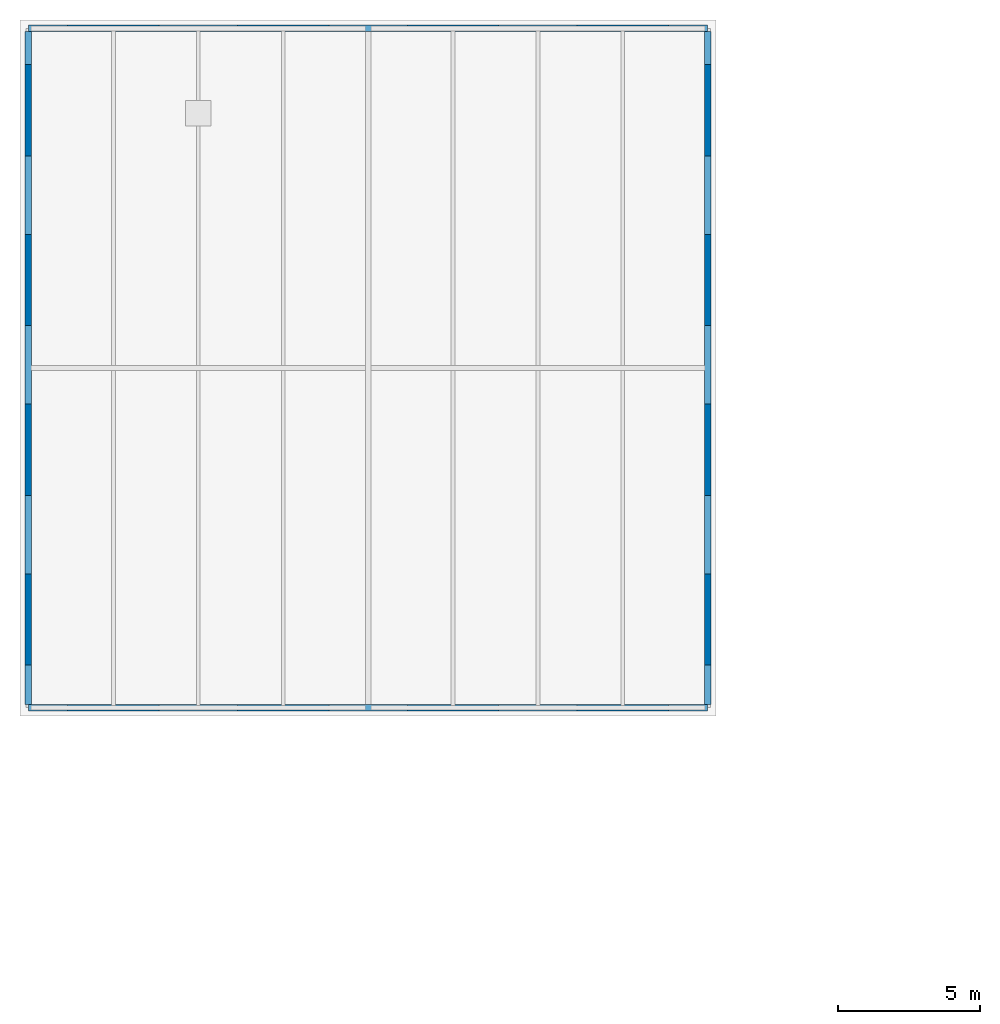
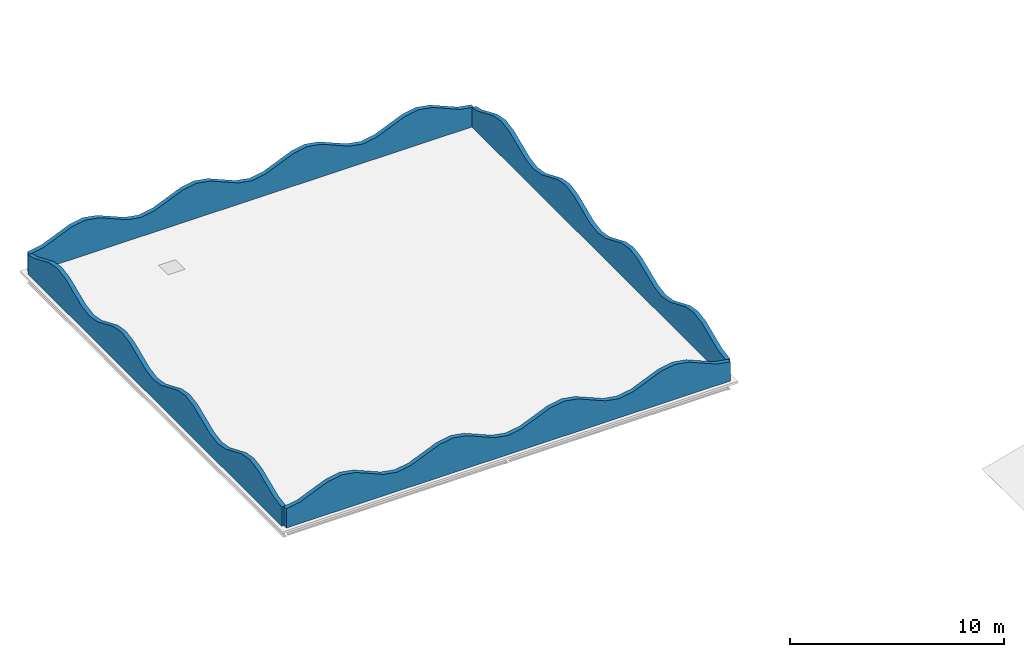
# One storey, part 62 of 91: 4 walls.
"""IFC4 building model written with IfcOpenShell, lengths in metres."""

from ifc_helpers import new_model, si_unit, direction, frame, origin, place, context, subcontext, project, spatial, polyline, outline, extrude, material, layer, layer_set, type_object, element, save


model = new_model("IFC4")

# Units and contexts
model_context = context("Model", 3, precision=1e-05, world=origin(), true_north=direction((0.0, 1.0)))
body_context = subcontext(model_context, "Body", "Model", "MODEL_VIEW")
ifc_project = project(units=[si_unit("LENGTHUNIT", "METRE"), si_unit("AREAUNIT", "SQUARE_METRE"), si_unit("VOLUMEUNIT", "CUBIC_METRE"), si_unit("PLANEANGLEUNIT", "RADIAN"), si_unit("MASSUNIT", "GRAM", prefix="KILO")], contexts=[model_context])

# Site, building, storey
site_placement = place(None, origin())
site = spatial("IfcSite", under=ifc_project, at=site_placement, CompositionType="ELEMENT")
building_placement = place(site_placement, origin())
building = spatial("IfcBuilding", under=site, at=building_placement, Name="Ravi Spectrum Wholesale Market", CompositionType="ELEMENT")
storey_placement = place(building_placement, frame((0.0, 0.0, 16.199951171875)))
storey = spatial("IfcBuildingStorey", under=building, at=storey_placement, Name="ROOF PLANT LEVEL", CompositionType="ELEMENT", Elevation=16.199951171875)

# Walls
ifc_material = material(Name="Facing brickwork", Category="masonry")
ifc_layer = layer(ifc_material, 0.22998046875)
ifc_layer_set = layer_set([ifc_layer], Name="Facing brickwork")
wall_type = type_object("IfcWallType", Name="Pavilion parapet 230", PredefinedType="PARAPET", material=ifc_layer_set)
for number, where, z_axis, x_axis, name in (
    (1, (12.0, 210.0, 0.0), (0.0, 0.0, 1.0), (1.0, 0.0, 0.0), "Wavy parapet"),
    (2, (12.0, 234.0, 0.0), (0.0, 0.0, 1.0), (1.0, 0.0, 0.0), "Wavy parapet"),
):
    element("IfcWall", number, at=place(storey_placement, frame(where, z_axis=z_axis, x_axis=x_axis)), inside=storey, type_object=wall_type, Name=name, PredefinedType="PARAPET", context=body_context, shape_type="SweptSolid", body=[
        extrude(outline(polyline([(0.0, 0.0), (24.0, 0.0), (24.0, 1.10009765625), (23.25, 1.23193359375), (22.5, 1.550048828125), (21.75, 1.8681640625), (21.0, 2.0), (20.25, 1.8681640625), (19.5, 1.550048828125), (18.75, 1.23193359375), (18.0, 1.10009765625), (17.25, 1.23193359375), (16.5, 1.550048828125), (15.75, 1.8681640625), (15.0, 2.0), (14.25, 1.8681640625), (13.5, 1.550048828125), (12.75, 1.23193359375), (12.0, 1.10009765625), (11.25, 1.23193359375), (10.5, 1.550048828125), (9.75, 1.8681640625), (9.0, 2.0), (8.25, 1.8681640625), (7.5, 1.550048828125), (6.75, 1.23193359375), (6.0, 1.10009765625), (5.25, 1.23193359375), (4.5, 1.550048828125), (3.75, 1.8681640625), (3.0, 2.0), (2.25, 1.8681640625), (1.5, 1.550048828125), (0.75, 1.23193359375), (0.0, 1.10009765625), (0.0, 0.0)])), frame((0.0, 0.114990234375, 0.0), z_axis=(0.0, -1.0, 0.0), x_axis=(1.0, 0.0, 0.0)), (0.0, 0.0, 1.0), 0.22998046875),
    ])
for number, where, z_axis, x_axis, name in (
    (3, (12.0, 210.114990234375, 0.0), (0.0, 0.0, 1.0), (0.0, 1.0, 0.0), "Wavy parapet"),
    (4, (36.0, 210.114990234375, 0.0), (0.0, 0.0, 1.0), (0.0, 1.0, 0.0), "Wavy parapet"),
):
    element("IfcWall", number, at=place(storey_placement, frame(where, z_axis=z_axis, x_axis=x_axis)), inside=storey, type_object=wall_type, Name=name, PredefinedType="PARAPET", context=body_context, shape_type="SweptSolid", body=[
        extrude(outline(polyline([(0.0, 0.0), (23.77001953125, 0.0), (23.77001953125, 1.113037109375), (23.25, 1.23193359375), (22.5, 1.550048828125), (21.75, 1.8681640625), (21.0, 2.0), (20.25, 1.8681640625), (19.5, 1.550048828125), (18.75, 1.23193359375), (18.0, 1.10009765625), (17.25, 1.23193359375), (16.5, 1.550048828125), (15.75, 1.8681640625), (15.0, 2.0), (14.25, 1.8681640625), (13.5, 1.550048828125), (12.75, 1.23193359375), (12.0, 1.10009765625), (11.25, 1.23193359375), (10.5, 1.550048828125), (9.75, 1.8681640625), (9.0, 2.0), (8.25, 1.8681640625), (7.5, 1.550048828125), (6.75, 1.23193359375), (6.0, 1.10009765625), (5.25, 1.23193359375), (4.5, 1.550048828125), (3.75, 1.8681640625), (3.0, 2.0), (2.25, 1.8681640625), (1.5, 1.550048828125), (0.75, 1.23193359375), (0.0, 1.10009765625), (0.0, 0.0)])), frame((0.0, 0.114990234375, 0.0), z_axis=(0.0, -1.0, 0.0), x_axis=(1.0, 0.0, 0.0)), (0.0, 0.0, 1.0), 0.22998046875),
    ])

save(model, "model.ifc")
